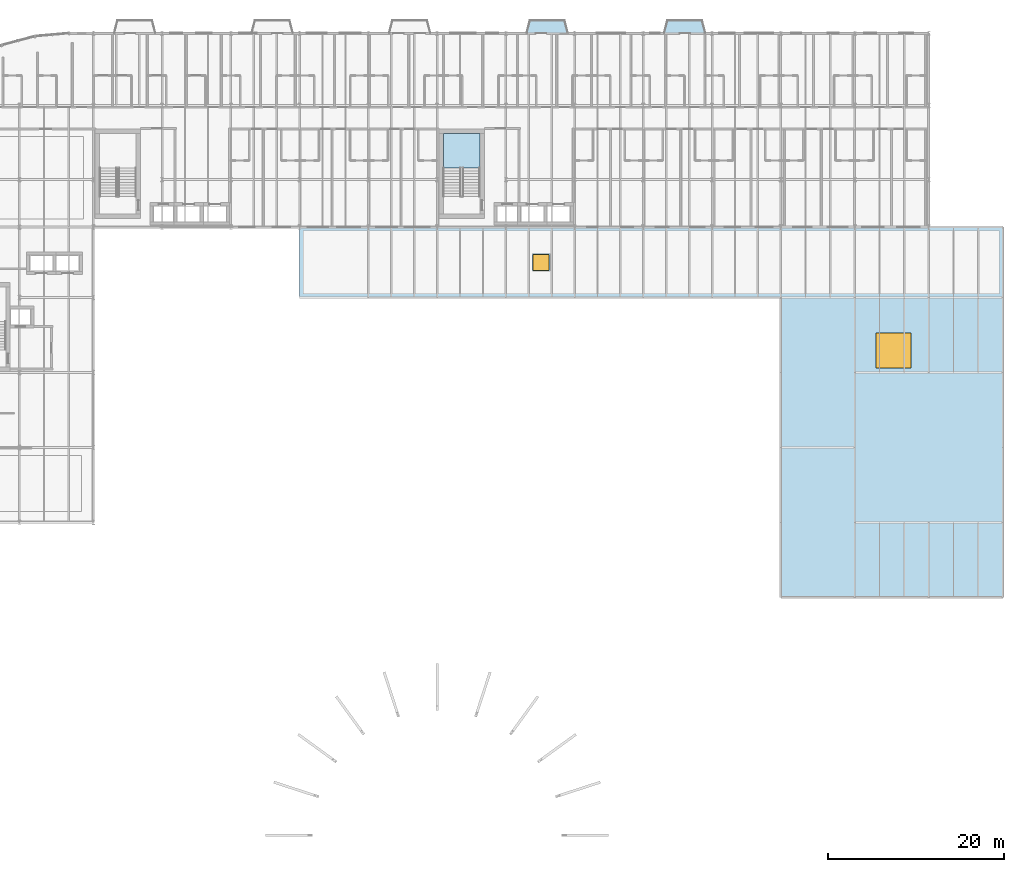
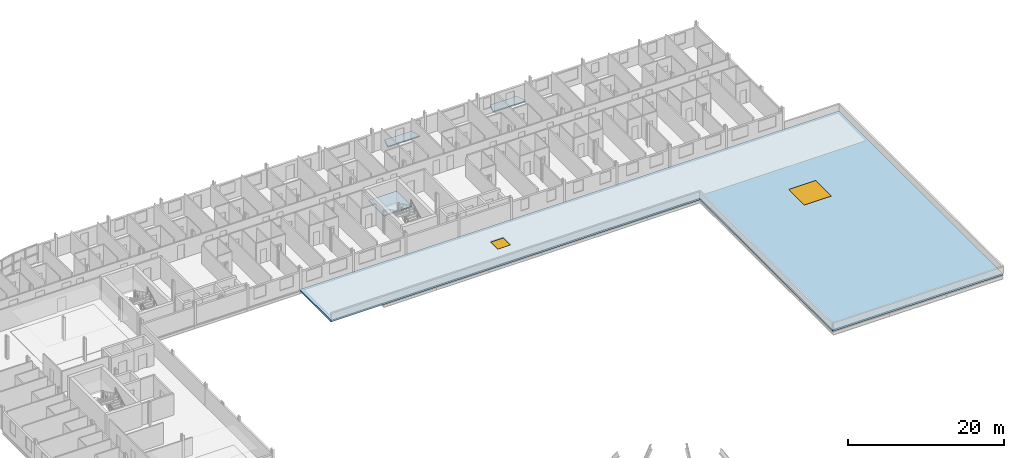
# One storey, part 17 of 36: 4 slabs, 2 windows, 2 openings, 1 element without a shape of its own.
"""IFC4 building model written with IfcOpenShell, lengths in metres."""

from ifc_helpers import new_model, si_unit, direction, frame, origin, origin_2d, place, context, subcontext, project, spatial, polyline, rectangle, outline, extrude, material, layer, layer_set, type_object, element, fill, aggregate, save


model = new_model("IFC4")

# Units and contexts
model_context = context("Model", 3, precision=1e-05, world=origin(), true_north=direction((0.0, 1.0)))
body_context = subcontext(model_context, "Body", "Model", "MODEL_VIEW")
ifc_project = project(units=[si_unit("LENGTHUNIT", "METRE"), si_unit("AREAUNIT", "SQUARE_METRE"), si_unit("VOLUMEUNIT", "CUBIC_METRE"), si_unit("PLANEANGLEUNIT", "RADIAN"), si_unit("MASSUNIT", "GRAM", prefix="KILO")], contexts=[model_context])

# Site, building, storey
site_placement = place(None, origin())
site = spatial("IfcSite", under=ifc_project, at=site_placement, CompositionType="ELEMENT")
building_placement = place(site_placement, origin())
building = spatial("IfcBuilding", under=site, at=building_placement, Name="Sefraquen Railside Congress Hotel", CompositionType="ELEMENT")
storey_placement = place(building_placement, frame((0.0, 0.0, 24.60009765625)))
storey = spatial("IfcBuildingStorey", under=building, at=storey_placement, Name="L05", CompositionType="ELEMENT", Elevation=24.60009765625)

# Slabs
ifc_material_1 = material(Name="Concrete C40/50", Category="concrete")
ifc_layer_1 = layer(ifc_material_1, 0.179931640625)
ifc_layer_set_1 = layer_set([ifc_layer_1], Name="Concrete C40/50")
slab_type_1 = type_object("IfcSlabType", Name="TS-BL-180", PredefinedType="FLOOR", material=ifc_layer_set_1)
slab_1_placement = place(storey_placement, frame((0.0, 0.0, -0.18017578125)))
element("IfcSlab", 1, at=slab_1_placement, inside=storey, type_object=slab_type_1, Name="Hotel Art Nouveau balcony slab L05-04", PredefinedType="FLOOR", context=body_context, shape_type="SweptSolid", body=[
    extrude(outline(polyline([(74.300048828125, 118.0), (79.10009765625, 118.0), (78.699951171875, 119.5), (74.699951171875, 119.5), (74.300048828125, 118.0)])), origin(), (0.0, 0.0, 1.0), 0.18017578125),
])
slab_2_placement = place(storey_placement, frame((0.0, 0.0, -0.18017578125)))
element("IfcSlab", 2, at=slab_2_placement, inside=storey, type_object=slab_type_1, Name="Hotel Art Nouveau balcony slab L05-05", PredefinedType="FLOOR", context=body_context, shape_type="SweptSolid", body=[
    extrude(outline(polyline([(89.89990234375, 118.0), (94.699951171875, 118.0), (94.300048828125, 119.5), (90.300048828125, 119.5), (89.89990234375, 118.0)])), origin(), (0.0, 0.0, 1.0), 0.18017578125),
])

# Stair, slab
stair_type = type_object("IfcStairType", Name="TST-DOG-198-450", PredefinedType="HALF_TURN_STAIR", material=ifc_material_1)
stair_placement = place(storey_placement, origin())
stair = element("IfcStair", 3, at=stair_placement, inside=storey, type_object=stair_type, Name="L05 Pressurized escape stair ST-H03", PredefinedType="HALF_TURN_STAIR")
ifc_layer_2 = layer(ifc_material_1, 0.199951171875)
ifc_layer_set_2 = layer_set([ifc_layer_2], Name="Concrete C40/50")
slab_type_2 = type_object("IfcSlabType", Name="TS-LD-200", PredefinedType="LANDING", material=ifc_layer_set_2)
slab_3_placement = place(storey_placement, frame((0.0, 0.0, 1.599853515625)))
slab_3 = element("IfcSlab", 4, at=slab_3_placement, type_object=slab_type_2, Name="ST-H03 landing 1", PredefinedType="LANDING", context=body_context, shape_type="SweptSolid", body=[
    extrude(outline(polyline([(69.06005859375, 102.699951171875), (69.06005859375, 106.612060546875), (64.89990234375, 106.612060546875), (64.89990234375, 102.699951171875), (69.06005859375, 102.699951171875)])), origin(), (0.0, 0.0, 1.0), 0.199951171875),
])
aggregate(stair, [slab_3])

# Slab, openings, windows
ifc_layer_3 = layer(ifc_material_1, 0.260009765625)
ifc_layer_set_3 = layer_set([ifc_layer_3], Name="Concrete C40/50")
slab_type_3 = type_object("IfcSlabType", Name="TS-RF-260", PredefinedType="ROOF", material=ifc_layer_set_3)
slab_4_placement = place(storey_placement, frame((0.0, 0.0, -0.260009765625)))
slab_4 = element("IfcSlab", 5, at=slab_4_placement, inside=storey, type_object=slab_type_3, Name="Meeting Wing L05 main roof slab", PredefinedType="ROOF", context=body_context, shape_type="SweptSolid", body=[
    extrude(outline(polyline([(48.60009765625, 88.0), (103.199951171875, 88.0), (103.199951171875, 54.050048828125), (128.35009765625, 54.050048828125), (128.35009765625, 96.0), (48.60009765625, 96.0), (48.60009765625, 88.0)])), origin(), (0.0, 0.0, 1.0), 0.260009765625),
])
opening_1_placement = place(slab_4_placement, frame((76.0, 92.0, -0.010009765625)))
opening_1 = element("IfcOpeningElement", 6, at=opening_1_placement, cuts=slab_4, Name="Opening SK-05", PredefinedType="OPENING", context=body_context, shape_type="SweptSolid", body=[
    extrude(rectangle(XDim=1.800048828125, YDim=1.800048828125, at=origin_2d()), origin(), (0.0, 0.0, 1.0), 0.280029296875),
])
opening_2_placement = place(slab_4_placement, frame((116.0, 82.0, -0.010009765625)))
opening_2 = element("IfcOpeningElement", 7, at=opening_2_placement, cuts=slab_4, Name="Opening SK-06", PredefinedType="OPENING", context=body_context, shape_type="SweptSolid", body=[
    extrude(rectangle(XDim=4.0, YDim=4.0, at=origin_2d()), origin(), (0.0, 0.0, 1.0), 0.280029296875),
])
ifc_material_2 = material(Name="Laminated solar-control skylight glazing in bronze kerb", Category="glass")
window_type_1 = type_object("IfcWindowType", Name="TWN-SK-05", PartitioningType="SINGLE_PANEL", PredefinedType="SKYLIGHT", material=ifc_material_2)
window_1_placement = place(opening_1_placement, frame((0.0, 0.0, 0.219970703125)))
window_1 = element("IfcWindow", 8, at=window_1_placement, inside=storey, type_object=window_type_1, Name="Glazed roof skylight or hatch WIN-L05-MEET-SK5", OverallHeight=1.800048828125, OverallWidth=1.800048828125, PartitioningType="SINGLE_PANEL", PredefinedType="SKYLIGHT", context=body_context, shape_type="SweptSolid", body=[
    extrude(rectangle(XDim=1.800048828125, YDim=1.800048828125, at=origin_2d()), origin(), (0.0, 0.0, 1.0), 0.050048828125),
])
fill(opening_1, window_1)
window_type_2 = type_object("IfcWindowType", Name="TWN-SK-06", PartitioningType="SINGLE_PANEL", PredefinedType="SKYLIGHT", material=ifc_material_2)
window_2_placement = place(opening_2_placement, frame((0.0, 0.0, 0.219970703125)))
window_2 = element("IfcWindow", 9, at=window_2_placement, inside=storey, type_object=window_type_2, Name="Glazed roof skylight or hatch WIN-L05-MEET-SK6", OverallHeight=4.0, OverallWidth=4.0, PartitioningType="SINGLE_PANEL", PredefinedType="SKYLIGHT", context=body_context, shape_type="SweptSolid", body=[
    extrude(rectangle(XDim=4.0, YDim=4.0, at=origin_2d()), origin(), (0.0, 0.0, 1.0), 0.050048828125),
])
fill(opening_2, window_2)

save(model, "model.ifc")
